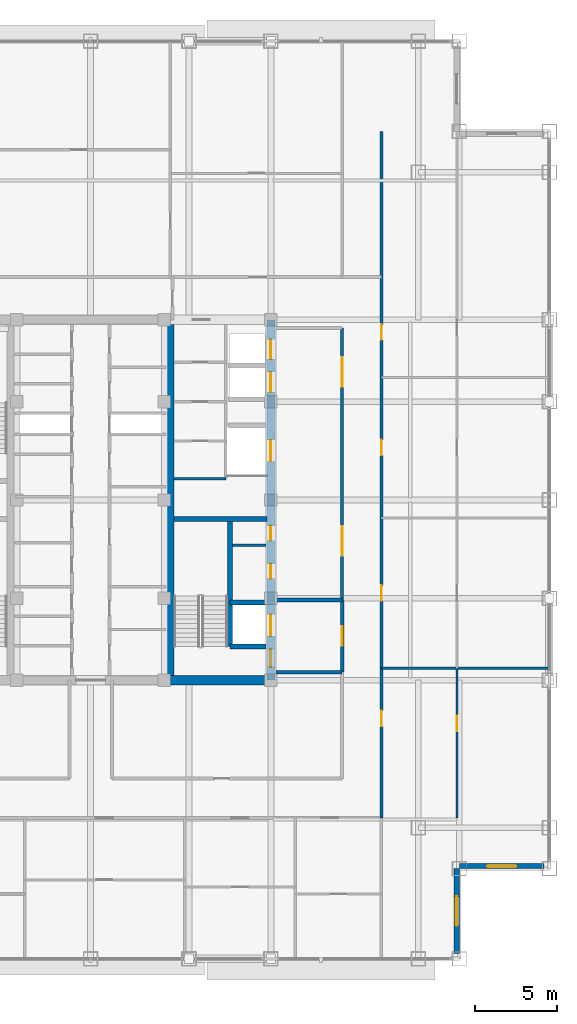
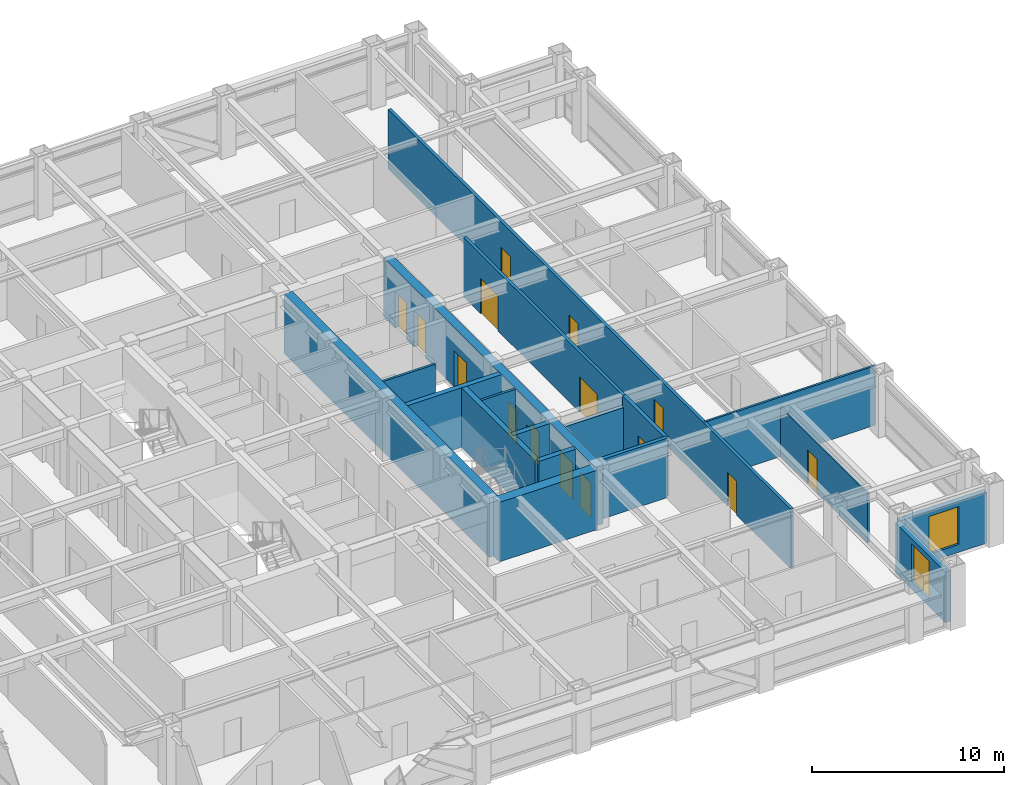
# One storey, part 22 of 29: 18 walls, 15 doors, 2 windows, 17 openings.
"""IFC4 building model written with IfcOpenShell, lengths in metres."""

from ifc_helpers import new_model, si_unit, direction, frame, frame_2d, origin, place, context, subcontext, project, spatial, rectangle, extrude, source, transform, mapped, material, layer, layer_set, type_object, element, fill, save


model = new_model("IFC4")

# Units and contexts
model_context = context("Model", 3, precision=1e-05, world=origin(), true_north=direction((0.0, 1.0)))
body_context = subcontext(model_context, "Body", "Model", "MODEL_VIEW")
ifc_project = project(units=[si_unit("LENGTHUNIT", "METRE"), si_unit("AREAUNIT", "SQUARE_METRE"), si_unit("VOLUMEUNIT", "CUBIC_METRE"), si_unit("PLANEANGLEUNIT", "RADIAN"), si_unit("MASSUNIT", "GRAM", prefix="KILO")], contexts=[model_context])

# Site, building, storey
site_placement = place(None, origin())
site = spatial("IfcSite", under=ifc_project, at=site_placement, CompositionType="ELEMENT")
building_placement = place(site_placement, origin())
building = spatial("IfcBuilding", under=site, at=building_placement, Name="Khorayat Bourse Tower", CompositionType="ELEMENT")
storey_placement = place(building_placement, frame((0.0, 0.0, 277.5)))
storey = spatial("IfcBuildingStorey", under=building, at=storey_placement, Name="L65", CompositionType="ELEMENT", Elevation=277.5)

# Wall, openings, doors
ifc_material_1 = material(Name="Concrete C52/65", Category="concrete")
ifc_layer_1 = layer(ifc_material_1, 0.5)
ifc_layer_set_1 = layer_set([ifc_layer_1], Name="Concrete C52/65")
wall_type_1 = type_object("IfcWallType", Name="WAL-CORE-500", PredefinedType="SHEAR", material=ifc_layer_set_1)
shared_shape_1 = source(origin(), body_context, "Body", "SweptSolid", [
    extrude(rectangle(XDim=22.0, YDim=0.5, at=frame_2d((11.0, 0.0))), origin(), (0.0, 0.0, 1.0), 3.780029296875),
])
wall_1_placement = place(storey_placement, frame((11.0, -11.0, 0.0), z_axis=(0.0, 0.0, 1.0), x_axis=(0.0, 1.0, 0.0)))
wall_1 = element("IfcWall", 1, at=wall_1_placement, inside=storey, type_object=wall_type_1, Name="L65 Core Shear Wall CORE-E", PredefinedType="SHEAR", context=body_context, shape_type="MappedRepresentation", body=[
    mapped(shared_shape_1, transform((0.0, 0.0, 0.0), scale=1.0)),
])
shared_shape_2 = source(origin(), body_context, "Body", "SweptSolid", [
    extrude(rectangle(XDim=1.10009765625, YDim=2.199951171875, at=frame_2d((0.550048828125, 1.10009765625))), frame((0.0, 0.260009765625, 0.0), z_axis=(0.0, -1.0, 0.0), x_axis=(1.0, 0.0, 0.0)), (0.0, 0.0, 1.0), 0.52001953125),
])
opening_1_placement = place(wall_1_placement, frame((0.800048828125, 0.0, 0.0)))
opening_1 = element("IfcOpeningElement", 2, at=opening_1_placement, cuts=wall_1, Name="Opening DI-01", PredefinedType="OPENING", context=body_context, shape_type="MappedRepresentation", body=[
    mapped(shared_shape_2, transform((0.0, 0.0, 0.0), scale=1.0)),
])
shared_shape_3 = source(origin(), body_context, "Body", "SweptSolid", [
    extrude(rectangle(XDim=0.89990234375, YDim=2.14990234375, at=frame_2d((0.449951171875, 1.074951171875))), frame((0.0, 0.260009765625, 0.0), z_axis=(0.0, -1.0, 0.0), x_axis=(1.0, 0.0, 0.0)), (0.0, 0.0, 1.0), 0.52001953125),
])
opening_2_placement = place(wall_1_placement, frame((6.199951171875, 0.0, 0.0)))
opening_2 = element("IfcOpeningElement", 3, at=opening_2_placement, cuts=wall_1, Name="Opening DI-06", PredefinedType="OPENING", context=body_context, shape_type="MappedRepresentation", body=[
    mapped(shared_shape_3, transform((0.0, 0.0, 0.0), scale=1.0)),
])
opening_3_placement = place(wall_1_placement, frame((8.52490234375, 0.0, 0.0)))
opening_3 = element("IfcOpeningElement", 4, at=opening_3_placement, cuts=wall_1, Name="Opening DI-06", PredefinedType="OPENING", context=body_context, shape_type="MappedRepresentation", body=[
    mapped(shared_shape_3, transform((0.0, 0.0, 0.0), scale=1.0)),
])
shared_shape_4 = source(origin(), body_context, "Body", "SweptSolid", [
    extrude(rectangle(XDim=1.199951171875, YDim=2.300048828125, at=frame_2d((0.60009765625, 1.14990234375))), frame((0.0, 0.260009765625, 0.0), z_axis=(0.0, -1.0, 0.0), x_axis=(1.0, 0.0, 0.0)), (0.0, 0.0, 1.0), 0.52001953125),
])
opening_4_placement = place(wall_1_placement, frame((17.60009765625, 0.0, 0.0)))
opening_4 = element("IfcOpeningElement", 5, at=opening_4_placement, cuts=wall_1, Name="Opening LD-01", PredefinedType="OPENING", context=body_context, shape_type="MappedRepresentation", body=[
    mapped(shared_shape_4, transform((0.0, 0.0, 0.0), scale=1.0)),
])
opening_5_placement = place(wall_1_placement, frame((19.60009765625, 0.0, 0.0)))
opening_5 = element("IfcOpeningElement", 6, at=opening_5_placement, cuts=wall_1, Name="Opening LD-01", PredefinedType="OPENING", context=body_context, shape_type="MappedRepresentation", body=[
    mapped(shared_shape_4, transform((0.0, 0.0, 0.0), scale=1.0)),
])
shared_shape_5 = source(origin(), body_context, "Body", "SweptSolid", [
    extrude(rectangle(XDim=1.300048828125, YDim=2.300048828125, at=frame_2d((0.64990234375, 1.14990234375))), frame((0.0, 0.260009765625, 0.0), z_axis=(0.0, -1.0, 0.0), x_axis=(1.0, 0.0, 0.0)), (0.0, 0.0, 1.0), 0.52001953125),
])
opening_6_placement = place(wall_1_placement, frame((2.699951171875, 0.0, 0.0)))
opening_6 = element("IfcOpeningElement", 7, at=opening_6_placement, cuts=wall_1, Name="Opening LD-02", PredefinedType="OPENING", context=body_context, shape_type="MappedRepresentation", body=[
    mapped(shared_shape_5, transform((0.0, 0.0, 0.0), scale=1.0)),
])
opening_7_placement = place(wall_1_placement, frame((13.35009765625, 0.0, 0.0)))
opening_7 = element("IfcOpeningElement", 8, at=opening_7_placement, cuts=wall_1, Name="Opening LD-02", PredefinedType="OPENING", context=body_context, shape_type="MappedRepresentation", body=[
    mapped(shared_shape_5, transform((0.0, 0.0, 0.0), scale=1.0)),
])
ifc_material_2 = material(Name="Fire-rated steel acoustic leaf", Category="steel")
door_type_1 = type_object("IfcDoorType", Name="DR-INT-STAIR-1100", OperationType="NOTDEFINED", PredefinedType="DOOR", material=ifc_material_2)
shared_shape_6 = source(origin(), body_context, "Body", "SweptSolid", [
    extrude(rectangle(XDim=1.10009765625, YDim=2.199951171875, at=frame_2d((0.550048828125, 1.10009765625))), frame((0.0, 0.02490234375, 0.0), z_axis=(0.0, -1.0, 0.0), x_axis=(1.0, 0.0, 0.0)), (0.0, 0.0, 1.0), 0.050048828125),
])
door_1_placement = place(opening_1_placement, origin())
door_1 = element("IfcDoor", 9, at=door_1_placement, inside=storey, type_object=door_type_1, Name="L65 Exit Stair 3 Door", OperationType="SINGLE_SWING_LEFT", OverallHeight=2.199951171875, OverallWidth=1.10009765625, PredefinedType="DOOR", context=body_context, shape_type="MappedRepresentation", body=[
    mapped(shared_shape_6, transform((0.0, 0.0, 0.0), scale=1.0)),
])
fill(opening_1, door_1)
ifc_material_3 = material(Name="Moisture-resistant laminate washroom door")
door_type_2 = type_object("IfcDoorType", Name="DR-INT-WC-900", OperationType="NOTDEFINED", PredefinedType="DOOR", material=ifc_material_3)
shared_shape_7 = source(origin(), body_context, "Body", "SweptSolid", [
    extrude(rectangle(XDim=0.89990234375, YDim=2.14990234375, at=frame_2d((0.449951171875, 1.074951171875))), frame((0.0, 0.02490234375, 0.0), z_axis=(0.0, -1.0, 0.0), x_axis=(1.0, 0.0, 0.0)), (0.0, 0.0, 1.0), 0.050048828125),
])
door_2_placement = place(opening_2_placement, origin())
door_2 = element("IfcDoor", 10, at=door_2_placement, inside=storey, type_object=door_type_2, Name="L65 Telecom Closet Door", OperationType="SINGLE_SWING_LEFT", OverallHeight=2.14990234375, OverallWidth=0.89990234375, PredefinedType="DOOR", context=body_context, shape_type="MappedRepresentation", body=[
    mapped(shared_shape_7, transform((0.0, 0.0, 0.0), scale=1.0)),
])
fill(opening_2, door_2)
door_3_placement = place(opening_3_placement, origin())
door_3 = element("IfcDoor", 11, at=door_3_placement, inside=storey, type_object=door_type_2, Name="L65 Stationery Store Door", OperationType="SINGLE_SWING_RIGHT", OverallHeight=2.14990234375, OverallWidth=0.89990234375, PredefinedType="DOOR", context=body_context, shape_type="MappedRepresentation", body=[
    mapped(shared_shape_7, transform((0.0, 0.0, 0.0), scale=1.0)),
])
fill(opening_3, door_3)
ifc_material_4 = material(Name="Brushed bronze stainless-steel sliding door", Category="steel")
door_type_3 = type_object("IfcDoorType", Name="DR-LIFT-PASS-1200", OperationType="NOTDEFINED", PredefinedType="DOOR", material=ifc_material_4)
shared_shape_8 = source(origin(), body_context, "Body", "SweptSolid", [
    extrude(rectangle(XDim=1.199951171875, YDim=2.300048828125, at=frame_2d((0.60009765625, 1.14990234375))), frame((0.0, 0.02490234375, 0.0), z_axis=(0.0, -1.0, 0.0), x_axis=(1.0, 0.0, 0.0)), (0.0, 0.0, 1.0), 0.050048828125),
])
door_4_placement = place(opening_4_placement, origin())
door_4 = element("IfcDoor", 12, at=door_4_placement, inside=storey, type_object=door_type_3, Name="L65 Lift PL-H3 Sliding Landing Door", OperationType="SLIDING_TO_LEFT", OverallHeight=2.300048828125, OverallWidth=1.199951171875, PredefinedType="DOOR", context=body_context, shape_type="MappedRepresentation", body=[
    mapped(shared_shape_8, transform((0.0, 0.0, 0.0), scale=1.0)),
])
fill(opening_4, door_4)
door_5_placement = place(opening_5_placement, origin())
door_5 = element("IfcDoor", 13, at=door_5_placement, inside=storey, type_object=door_type_3, Name="L65 Lift PL-H4 Sliding Landing Door", OperationType="SLIDING_TO_LEFT", OverallHeight=2.300048828125, OverallWidth=1.199951171875, PredefinedType="DOOR", context=body_context, shape_type="MappedRepresentation", body=[
    mapped(shared_shape_8, transform((0.0, 0.0, 0.0), scale=1.0)),
])
fill(opening_5, door_5)
ifc_material_5 = material(Name="Fire-rated stainless-steel sliding landing door", Category="steel")
door_type_4 = type_object("IfcDoorType", Name="DR-LIFT-FF-1300", OperationType="NOTDEFINED", PredefinedType="DOOR", material=ifc_material_5)
shared_shape_9 = source(origin(), body_context, "Body", "SweptSolid", [
    extrude(rectangle(XDim=1.300048828125, YDim=2.300048828125, at=frame_2d((0.64990234375, 1.14990234375))), frame((0.0, 0.02490234375, 0.0), z_axis=(0.0, -1.0, 0.0), x_axis=(1.0, 0.0, 0.0)), (0.0, 0.0, 1.0), 0.050048828125),
])
door_6_placement = place(opening_6_placement, origin())
door_6 = element("IfcDoor", 14, at=door_6_placement, inside=storey, type_object=door_type_4, Name="L65 Lift FFL-02 Sliding Landing Door", OperationType="SLIDING_TO_LEFT", OverallHeight=2.300048828125, OverallWidth=1.300048828125, PredefinedType="DOOR", context=body_context, shape_type="MappedRepresentation", body=[
    mapped(shared_shape_9, transform((0.0, 0.0, 0.0), scale=1.0)),
])
fill(opening_6, door_6)
door_7_placement = place(opening_7_placement, origin())
door_7 = element("IfcDoor", 15, at=door_7_placement, inside=storey, type_object=door_type_4, Name="L65 Lift SVL-01 Sliding Landing Door", OperationType="SLIDING_TO_LEFT", OverallHeight=2.300048828125, OverallWidth=1.300048828125, PredefinedType="DOOR", context=body_context, shape_type="MappedRepresentation", body=[
    mapped(shared_shape_9, transform((0.0, 0.0, 0.0), scale=1.0)),
])
fill(opening_7, door_7)

# Walls
shared_shape_10 = source(origin(), body_context, "Body", "SweptSolid", [
    extrude(rectangle(XDim=21.39990234375, YDim=0.5, at=frame_2d((10.699951171875, 0.0))), origin(), (0.0, 0.0, 1.0), 3.780029296875),
])
wall_2_placement = place(storey_placement, frame((4.85009765625, -10.699951171875, 0.0), z_axis=(0.0, 0.0, 1.0), x_axis=(0.0, 1.0, 0.0)))
element("IfcWall", 16, at=wall_2_placement, inside=storey, type_object=wall_type_1, Name="L65 Core Shear Wall PIER-E", PredefinedType="SHEAR", context=body_context, shape_type="MappedRepresentation", body=[
    mapped(shared_shape_10, transform((0.0, 0.0, 0.0), scale=1.0)),
])
ifc_material_6 = material(Name="Concrete C60/75", Category="concrete")
ifc_layer_2 = layer(ifc_material_6, 0.60009765625)
ifc_layer_set_2 = layer_set([ifc_layer_2], Name="Concrete C60/75")
wall_type_2 = type_object("IfcWallType", Name="WAL-CORE-600", PredefinedType="SHEAR", material=ifc_layer_set_2)
shared_shape_11 = source(origin(), body_context, "Body", "SweptSolid", [
    extrude(rectangle(XDim=5.89990234375, YDim=0.60009765625, at=frame_2d((2.949951171875, 0.0))), origin(), (0.0, 0.0, 1.0), 3.780029296875),
])
wall_3_placement = place(storey_placement, frame((4.85009765625, -11.0, 0.0), z_axis=(0.0, 0.0, 1.0), x_axis=(1.0, 0.0, 0.0)))
element("IfcWall", 17, at=wall_3_placement, inside=storey, type_object=wall_type_2, Name="L65 Core Shear Wall PIER-ES", PredefinedType="SHEAR", context=body_context, shape_type="MappedRepresentation", body=[
    mapped(shared_shape_11, transform((0.0, 0.0, 0.0), scale=1.0)),
])
ifc_material_7 = material(Name="Concrete C50/60", Category="concrete")
ifc_layer_3 = layer(ifc_material_7, 0.300048828125)
ifc_layer_set_3 = layer_set([ifc_layer_3], Name="Concrete C50/60")
wall_type_3 = type_object("IfcWallType", Name="WAL-SHAFT-300", PredefinedType="SHEAR", material=ifc_layer_set_3)
shared_shape_12 = source(origin(), body_context, "Body", "SweptSolid", [
    extrude(rectangle(XDim=5.64990234375, YDim=0.300048828125, at=frame_2d((2.824951171875, 0.0))), origin(), (0.0, 0.0, 1.0), 3.780029296875),
])
wall_4_placement = place(storey_placement, frame((5.10009765625, -1.14990234375, 0.0), z_axis=(0.0, 0.0, 1.0), x_axis=(1.0, 0.0, 0.0)))
element("IfcWall", 18, at=wall_4_placement, inside=storey, type_object=wall_type_3, Name="L65 Core Shear Wall ST3-DIV", PredefinedType="SHEAR", context=body_context, shape_type="MappedRepresentation", body=[
    mapped(shared_shape_12, transform((0.0, 0.0, 0.0), scale=1.0)),
])

# Wall, opening, window
ifc_material_8 = material(Name="Precast concrete C45/55", Category="concrete")
ifc_layer_4 = layer(ifc_material_8, 0.320068359375)
ifc_layer_set_4 = layer_set([ifc_layer_4], Name="Precast concrete C45/55")
wall_type_4 = type_object("IfcWallType", Name="WAL-EXT-STONE-320", PredefinedType="STANDARD", material=ifc_layer_set_4)
shared_shape_13 = source(origin(), body_context, "Body", "SweptSolid", [
    extrude(rectangle(XDim=5.179931640625, YDim=0.320068359375, at=frame_2d((2.58984375, 0.0))), origin(), (0.0, 0.0, 1.0), 3.23095703125),
])
wall_5_placement = place(storey_placement, frame((22.340087890625, -27.679931640625, 0.0), z_axis=(0.0, 0.0, 1.0), x_axis=(0.0, 1.0, 0.0)))
wall_5 = element("IfcWall", 19, at=wall_5_placement, inside=storey, type_object=wall_type_4, Name="L65 Re-Entrant Notch Limestone Wall SE-V", PredefinedType="STANDARD", context=body_context, shape_type="MappedRepresentation", body=[
    mapped(shared_shape_13, transform((0.0, 0.0, 0.0), scale=1.0)),
])
shared_shape_14 = source(origin(), body_context, "Body", "SweptSolid", [
    extrude(rectangle(XDim=1.800048828125, YDim=2.39990234375, at=frame_2d((0.89990234375, 1.199951171875))), frame((0.0, 0.169921875, 0.0), z_axis=(0.0, -1.0, 0.0), x_axis=(1.0, 0.0, 0.0)), (0.0, 0.0, 1.0), 0.340087890625),
])
opening_8_placement = place(wall_5_placement, frame((1.68994140625, 0.0, 0.5)))
opening_8 = element("IfcOpeningElement", 20, at=opening_8_placement, cuts=wall_5, Name="Opening WN-04", PredefinedType="OPENING", context=body_context, shape_type="MappedRepresentation", body=[
    mapped(shared_shape_14, transform((0.0, 0.0, 0.0), scale=1.0)),
])
ifc_material_9 = material(Name="Low-E acoustic laminated double glazing", Category="glass")
window_type = type_object("IfcWindowType", Name="WIN-NOTCH-1800x2400", PartitioningType="SINGLE_PANEL", PredefinedType="WINDOW", material=ifc_material_9)
shared_shape_15 = source(origin(), body_context, "Body", "SweptSolid", [
    extrude(rectangle(XDim=1.800048828125, YDim=2.39990234375, at=frame_2d((0.89990234375, 1.199951171875))), frame((0.0, 0.030029296875, 0.0), z_axis=(0.0, -1.0, 0.0), x_axis=(1.0, 0.0, 0.0)), (0.0, 0.0, 1.0), 0.06005859375),
])
window_1_placement = place(opening_8_placement, origin())
window_1 = element("IfcWindow", 21, at=window_1_placement, inside=storey, type_object=window_type, Name="L65 Facade Window 1", OverallHeight=2.39990234375, OverallWidth=1.800048828125, PartitioningType="SINGLE_PANEL", PredefinedType="WINDOW", context=body_context, shape_type="MappedRepresentation", body=[
    mapped(shared_shape_15, transform((0.0, 0.0, 0.0), scale=1.0)),
])
fill(opening_8, window_1)

wall_6_placement = place(storey_placement, frame((22.5, -22.340087890625, 0.0), z_axis=(0.0, 0.0, 1.0), x_axis=(1.0, 0.0, 0.0)))
wall_6 = element("IfcWall", 22, at=wall_6_placement, inside=storey, type_object=wall_type_4, Name="L65 Re-Entrant Notch Limestone Wall SE-H", PredefinedType="STANDARD", context=body_context, shape_type="MappedRepresentation", body=[
    mapped(shared_shape_13, transform((0.0, 0.0, 0.0), scale=1.0)),
])
opening_9_placement = place(wall_6_placement, frame((1.68994140625, 0.0, 0.5)))
opening_9 = element("IfcOpeningElement", 23, at=opening_9_placement, cuts=wall_6, Name="Opening WN-04", PredefinedType="OPENING", context=body_context, shape_type="MappedRepresentation", body=[
    mapped(shared_shape_14, transform((0.0, 0.0, 0.0), scale=1.0)),
])
window_2_placement = place(opening_9_placement, origin())
window_2 = element("IfcWindow", 24, at=window_2_placement, inside=storey, type_object=window_type, Name="L65 Facade Window 1", OverallHeight=2.39990234375, OverallWidth=1.800048828125, PartitioningType="SINGLE_PANEL", PredefinedType="WINDOW", context=body_context, shape_type="MappedRepresentation", body=[
    mapped(shared_shape_15, transform((0.0, 0.0, 0.0), scale=1.0)),
])
fill(opening_9, window_2)

# Walls
ifc_material_10 = material(Name="Aerated concrete blockwork", Category="masonry")
ifc_layer_5 = layer(ifc_material_10, 0.219970703125)
ifc_layer_set_5 = layer_set([ifc_layer_5], Name="Aerated concrete blockwork")
wall_type_5 = type_object("IfcWallType", Name="WAL-PART-FF-220", PredefinedType="PARTITIONING", material=ifc_layer_set_5)
shared_shape_16 = source(origin(), body_context, "Body", "SweptSolid", [
    extrude(rectangle(XDim=4.050048828125, YDim=0.219970703125, at=frame_2d((2.02490234375, 0.0))), origin(), (0.0, 0.0, 1.0), 3.0849609375),
])
wall_7_placement = place(storey_placement, frame((11.300048828125, -6.10009765625, 0.0), z_axis=(0.0, 0.0, 1.0), x_axis=(1.0, 0.0, 0.0)))
element("IfcWall", 25, at=wall_7_placement, inside=storey, type_object=wall_type_5, Name="L65 Partition WAL-L65-FFLE-N", PredefinedType="PARTITIONING", context=body_context, shape_type="MappedRepresentation", body=[
    mapped(shared_shape_16, transform((0.0, 0.0, 0.0), scale=1.0)),
])
shared_shape_17 = source(origin(), body_context, "Body", "SweptSolid", [
    extrude(rectangle(XDim=7.800048828125, YDim=0.300048828125, at=frame_2d((3.89990234375, 0.0))), origin(), (0.0, 0.0, 1.0), 3.780029296875),
])
wall_8_placement = place(storey_placement, frame((8.5, -8.949951171875, 0.0), z_axis=(0.0, 0.0, 1.0), x_axis=(0.0, 1.0, 0.0)))
element("IfcWall", 26, at=wall_8_placement, inside=storey, type_object=wall_type_3, Name="L65 Partition WAL-L65-EPIER-SP", PredefinedType="SHEAR", context=body_context, shape_type="MappedRepresentation", body=[
    mapped(shared_shape_17, transform((0.0, 0.0, 0.0), scale=1.0)),
])
shared_shape_18 = source(origin(), body_context, "Body", "SweptSolid", [
    extrude(rectangle(XDim=2.199951171875, YDim=0.300048828125, at=frame_2d((1.10009765625, 0.0))), origin(), (0.0, 0.0, 1.0), 3.780029296875),
])
for number, where, z_axis, x_axis, name in (
    (27, (8.5, -8.949951171875, 0.0), (0.0, 0.0, 1.0), (1.0, 0.0, 0.0), "L65 Partition WAL-L65-EPIER-FF2S"),
    (28, (8.5, -6.25, 0.0), (0.0, 0.0, 1.0), (1.0, 0.0, 0.0), "L65 Partition WAL-L65-EPIER-FF2N"),
):
    element("IfcWall", number, at=place(storey_placement, frame(where, z_axis=z_axis, x_axis=x_axis)), inside=storey, type_object=wall_type_3, Name=name, PredefinedType="SHEAR", context=body_context, shape_type="MappedRepresentation", body=[
        mapped(shared_shape_18, transform((0.0, 0.0, 0.0), scale=1.0)),
    ])
ifc_material_11 = material(Name="Gypsum plasterboard twin-frame partition")
ifc_layer_6 = layer(ifc_material_11, 0.14990234375)
ifc_layer_set_6 = layer_set([ifc_layer_6], Name="Gypsum plasterboard twin-frame partition")
wall_type_6 = type_object("IfcWallType", Name="WAL-PART-SUITE-150", PredefinedType="PARTITIONING", material=ifc_layer_set_6)
shared_shape_19 = source(origin(), body_context, "Body", "SweptSolid", [
    extrude(rectangle(XDim=2.050048828125, YDim=0.14990234375, at=frame_2d((1.02490234375, 0.0))), origin(), (0.0, 0.0, 1.0), 3.780029296875),
])
wall_9_placement = place(storey_placement, frame((8.64990234375, -2.75, 0.0), z_axis=(0.0, 0.0, 1.0), x_axis=(1.0, 0.0, 0.0)))
element("IfcWall", 29, at=wall_9_placement, inside=storey, type_object=wall_type_6, Name="L65 Partition WAL-L65-ESRV-D1", PredefinedType="PARTITIONING", context=body_context, shape_type="MappedRepresentation", body=[
    mapped(shared_shape_19, transform((0.0, 0.0, 0.0), scale=1.0)),
])
ifc_material_12 = material(Name="Moisture-resistant masonry partition", Category="masonry")
ifc_layer_7 = layer(ifc_material_12, 0.139892578125)
ifc_layer_set_7 = layer_set([ifc_layer_7], Name="Moisture-resistant masonry partition")
wall_type_7 = type_object("IfcWallType", Name="WAL-PART-WET-140", PredefinedType="PARTITIONING", material=ifc_layer_set_7)
shared_shape_20 = source(origin(), body_context, "Body", "SweptSolid", [
    extrude(rectangle(XDim=3.14990234375, YDim=0.139892578125, at=frame_2d((1.574951171875, 0.0))), origin(), (0.0, 0.0, 1.0), 3.780029296875),
])
wall_10_placement = place(storey_placement, frame((5.10009765625, 1.300048828125, 0.0), z_axis=(0.0, 0.0, 1.0), x_axis=(1.0, 0.0, 0.0)))
element("IfcWall", 30, at=wall_10_placement, inside=storey, type_object=wall_type_7, Name="L65 Partition WAL-L65-ECORE-S", PredefinedType="PARTITIONING", context=body_context, shape_type="MappedRepresentation", body=[
    mapped(shared_shape_20, transform((0.0, 0.0, 0.0), scale=1.0)),
])
shared_shape_21 = source(origin(), body_context, "Body", "SweptSolid", [
    extrude(rectangle(XDim=4.050048828125, YDim=0.219970703125, at=frame_2d((2.02490234375, 0.0))), origin(), (0.0, 0.0, 1.0), 3.780029296875),
])
wall_11_placement = place(storey_placement, frame((11.300048828125, -10.5, 0.0), z_axis=(0.0, 0.0, 1.0), x_axis=(1.0, 0.0, 0.0)))
element("IfcWall", 31, at=wall_11_placement, inside=storey, type_object=wall_type_5, Name="L65 Partition WAL-L65-FFLE-S", PredefinedType="PARTITIONING", context=body_context, shape_type="MappedRepresentation", body=[
    mapped(shared_shape_21, transform((0.0, 0.0, 0.0), scale=1.0)),
])

# Wall, opening, door
shared_shape_22 = source(origin(), body_context, "Body", "SweptSolid", [
    extrude(rectangle(XDim=4.39990234375, YDim=0.219970703125, at=frame_2d((2.199951171875, 0.0))), origin(), (0.0, 0.0, 1.0), 3.780029296875),
])
wall_12_placement = place(storey_placement, frame((15.35009765625, -10.5, 0.0), z_axis=(0.0, 0.0, 1.0), x_axis=(0.0, 1.0, 0.0)))
wall_12 = element("IfcWall", 32, at=wall_12_placement, inside=storey, type_object=wall_type_5, Name="L65 Partition WAL-L65-FFLE-E", PredefinedType="PARTITIONING", context=body_context, shape_type="MappedRepresentation", body=[
    mapped(shared_shape_22, transform((0.0, 0.0, 0.0), scale=1.0)),
])
shared_shape_23 = source(origin(), body_context, "Body", "SweptSolid", [
    extrude(rectangle(XDim=1.199951171875, YDim=2.199951171875, at=frame_2d((0.60009765625, 1.10009765625))), frame((0.0, 0.119873046875, 0.0), z_axis=(0.0, -1.0, 0.0), x_axis=(1.0, 0.0, 0.0)), (0.0, 0.0, 1.0), 0.239990234375),
])
opening_10_placement = place(wall_12_placement, frame((1.60009765625, 0.0, 0.0)))
opening_10 = element("IfcOpeningElement", 33, at=opening_10_placement, cuts=wall_12, Name="Opening DI-02", PredefinedType="OPENING", context=body_context, shape_type="MappedRepresentation", body=[
    mapped(shared_shape_23, transform((0.0, 0.0, 0.0), scale=1.0)),
])
ifc_material_13 = material(Name="Fire-rated steel double-seal leaf", Category="steel")
door_type_5 = type_object("IfcDoorType", Name="DR-INT-FFLOBBY-1200", OperationType="NOTDEFINED", PredefinedType="DOOR", material=ifc_material_13)
shared_shape_24 = source(origin(), body_context, "Body", "SweptSolid", [
    extrude(rectangle(XDim=1.199951171875, YDim=2.199951171875, at=frame_2d((0.60009765625, 1.10009765625))), frame((0.0, 0.02490234375, 0.0), z_axis=(0.0, -1.0, 0.0), x_axis=(1.0, 0.0, 0.0)), (0.0, 0.0, 1.0), 0.050048828125),
])
door_8_placement = place(opening_10_placement, origin())
door_8 = element("IfcDoor", 34, at=door_8_placement, inside=storey, type_object=door_type_5, Name="L65 East Firefighting Lobby Door", OperationType="SINGLE_SWING_RIGHT", OverallHeight=2.199951171875, OverallWidth=1.199951171875, PredefinedType="DOOR", context=body_context, shape_type="MappedRepresentation", body=[
    mapped(shared_shape_24, transform((0.0, 0.0, 0.0), scale=1.0)),
])
fill(opening_10, door_8)

# Wall, openings, doors
ifc_material_14 = material(Name="Gypsum plasterboard acoustic stud wall")
ifc_layer_8 = layer(ifc_material_14, 0.179931640625)
ifc_layer_set_8 = layer_set([ifc_layer_8], Name="Gypsum plasterboard acoustic stud wall")
wall_type_8 = type_object("IfcWallType", Name="WAL-PART-CORR-180", PredefinedType="PARTITIONING", material=ifc_layer_set_8)
shared_shape_25 = source(origin(), body_context, "Body", "SweptSolid", [
    extrude(rectangle(XDim=16.60009765625, YDim=0.179931640625, at=frame_2d((8.300048828125, 0.0))), origin(), (0.0, 0.0, 1.0), 3.780029296875),
])
wall_13_placement = place(storey_placement, frame((15.35009765625, -6.10009765625, 0.0), z_axis=(0.0, 0.0, 1.0), x_axis=(0.0, 1.0, 0.0)))
wall_13 = element("IfcWall", 35, at=wall_13_placement, inside=storey, type_object=wall_type_8, Name="L65 Partition WAL-L65-ELOB-E", PredefinedType="PARTITIONING", context=body_context, shape_type="MappedRepresentation", body=[
    mapped(shared_shape_25, transform((0.0, 0.0, 0.0), scale=1.0)),
])
shared_shape_26 = source(origin(), body_context, "Body", "SweptSolid", [
    extrude(rectangle(XDim=1.800048828125, YDim=2.25, at=frame_2d((0.89990234375, 1.125))), frame((0.0, 0.099853515625, 0.0), z_axis=(0.0, -1.0, 0.0), x_axis=(1.0, 0.0, 0.0)), (0.0, 0.0, 1.0), 0.199951171875),
])
opening_11_placement = place(wall_13_placement, frame((2.699951171875, 0.0, 0.0)))
opening_11 = element("IfcOpeningElement", 36, at=opening_11_placement, cuts=wall_13, Name="Opening DI-03", PredefinedType="OPENING", context=body_context, shape_type="MappedRepresentation", body=[
    mapped(shared_shape_26, transform((0.0, 0.0, 0.0), scale=1.0)),
])
opening_12_placement = place(wall_13_placement, frame((13.0, 0.0, 0.0)))
opening_12 = element("IfcOpeningElement", 37, at=opening_12_placement, cuts=wall_13, Name="Opening DI-03", PredefinedType="OPENING", context=body_context, shape_type="MappedRepresentation", body=[
    mapped(shared_shape_26, transform((0.0, 0.0, 0.0), scale=1.0)),
])
ifc_material_15 = material(Name="Fire-rated hardwood vision-panel double leaf", Category="wood")
door_type_6 = type_object("IfcDoorType", Name="DR-INT-CORR-1800", OperationType="NOTDEFINED", PredefinedType="DOOR", material=ifc_material_15)
shared_shape_27 = source(origin(), body_context, "Body", "SweptSolid", [
    extrude(rectangle(XDim=1.800048828125, YDim=2.25, at=frame_2d((0.89990234375, 1.125))), frame((0.0, 0.02490234375, 0.0), z_axis=(0.0, -1.0, 0.0), x_axis=(1.0, 0.0, 0.0)), (0.0, 0.0, 1.0), 0.050048828125),
])
door_9_placement = place(opening_11_placement, origin())
door_9 = element("IfcDoor", 38, at=door_9_placement, inside=storey, type_object=door_type_6, Name="L65 East Core Lobby South Door", OperationType="SINGLE_SWING_RIGHT", OverallHeight=2.25, OverallWidth=1.800048828125, PredefinedType="DOOR", context=body_context, shape_type="MappedRepresentation", body=[
    mapped(shared_shape_27, transform((0.0, 0.0, 0.0), scale=1.0)),
])
fill(opening_11, door_9)
door_10_placement = place(opening_12_placement, origin())
door_10 = element("IfcDoor", 39, at=door_10_placement, inside=storey, type_object=door_type_6, Name="L65 East Core Lobby North Door", OperationType="SINGLE_SWING_LEFT", OverallHeight=2.25, OverallWidth=1.800048828125, PredefinedType="DOOR", context=body_context, shape_type="MappedRepresentation", body=[
    mapped(shared_shape_27, transform((0.0, 0.0, 0.0), scale=1.0)),
])
fill(opening_12, door_10)

# Wall
ifc_material_16 = material(Name="Gypsum plasterboard partition")
ifc_layer_9 = layer(ifc_material_16, 0.125)
ifc_layer_set_9 = layer_set([ifc_layer_9], Name="Gypsum plasterboard partition")
wall_type_9 = type_object("IfcWallType", Name="WAL-PART-ROOM-125", PredefinedType="PARTITIONING", material=ifc_layer_set_9)
shared_shape_28 = source(origin(), body_context, "Body", "SweptSolid", [
    extrude(rectangle(XDim=10.25, YDim=0.125, at=frame_2d((5.125, 0.0))), origin(), (0.0, 0.0, 1.0), 3.780029296875),
])
wall_14_placement = place(storey_placement, frame((17.75, -10.26806640625, 0.0), z_axis=(0.0, 0.0, 1.0), x_axis=(1.0, 0.0, 0.0)))
element("IfcWall", 40, at=wall_14_placement, inside=storey, type_object=wall_type_9, Name="L65 Partition WAL-L65-EDV-1", PredefinedType="PARTITIONING", context=body_context, shape_type="MappedRepresentation", body=[
    mapped(shared_shape_28, transform((0.0, 0.0, 0.0), scale=1.0)),
])

# Wall, opening, door
shared_shape_29 = source(origin(), body_context, "Body", "SweptSolid", [
    extrude(rectangle(XDim=9.1318359375, YDim=0.125, at=frame_2d((4.56591796875, 0.0))), origin(), (0.0, 0.0, 1.0), 3.1640625),
])
wall_15_placement = place(storey_placement, frame((22.362548828125, -19.39990234375, 0.0), z_axis=(0.0, 0.0, 1.0), x_axis=(0.0, 1.0, 0.0)))
wall_15 = element("IfcWall", 41, at=wall_15_placement, inside=storey, type_object=wall_type_9, Name="L65 Partition WAL-L65-EDP-1", PredefinedType="PARTITIONING", context=body_context, shape_type="MappedRepresentation", body=[
    mapped(shared_shape_29, transform((0.0, 0.0, 0.0), scale=1.0)),
])
shared_shape_30 = source(origin(), body_context, "Body", "SweptSolid", [
    extrude(rectangle(XDim=0.949951171875, YDim=2.14990234375, at=frame_2d((0.47509765625, 1.074951171875))), frame((0.0, 0.072509765625, 0.0), z_axis=(0.0, -1.0, 0.0), x_axis=(1.0, 0.0, 0.0)), (0.0, 0.0, 1.0), 0.14501953125),
])
opening_13_placement = place(wall_15_placement, frame((5.291015625, 0.0, 0.0)))
opening_13 = element("IfcOpeningElement", 42, at=opening_13_placement, cuts=wall_15, Name="Opening DI-05", PredefinedType="OPENING", context=body_context, shape_type="MappedRepresentation", body=[
    mapped(shared_shape_30, transform((0.0, 0.0, 0.0), scale=1.0)),
])
ifc_material_17 = material(Name="Acoustic oak veneer office door")
door_type_7 = type_object("IfcDoorType", Name="DR-INT-OFFICE-950", OperationType="NOTDEFINED", PredefinedType="DOOR", material=ifc_material_17)
shared_shape_31 = source(origin(), body_context, "Body", "SweptSolid", [
    extrude(rectangle(XDim=0.949951171875, YDim=2.14990234375, at=frame_2d((0.47509765625, 1.074951171875))), frame((0.0, 0.02490234375, 0.0), z_axis=(0.0, -1.0, 0.0), x_axis=(1.0, 0.0, 0.0)), (0.0, 0.0, 1.0), 0.050048828125),
])
door_11_placement = place(opening_13_placement, origin())
door_11 = element("IfcDoor", 43, at=door_11_placement, inside=storey, type_object=door_type_7, Name="L65 Clearing Records Archive Store E1B Door", OperationType="SINGLE_SWING_RIGHT", OverallHeight=2.14990234375, OverallWidth=0.949951171875, PredefinedType="DOOR", context=body_context, shape_type="MappedRepresentation", body=[
    mapped(shared_shape_31, transform((0.0, 0.0, 0.0), scale=1.0)),
])
fill(opening_13, door_11)

# Wall, openings, doors
shared_shape_32 = source(origin(), body_context, "Body", "SweptSolid", [
    extrude(rectangle(XDim=41.89990234375, YDim=0.179931640625, at=frame_2d((20.949951171875, 0.0))), origin(), (0.0, 0.0, 1.0), 3.780029296875),
])
wall_16_placement = place(storey_placement, frame((17.75, -19.39990234375, 0.0), z_axis=(0.0, 0.0, 1.0), x_axis=(0.0, 1.0, 0.0)))
wall_16 = element("IfcWall", 44, at=wall_16_placement, inside=storey, type_object=wall_type_8, Name="L65 Partition WAL-L65-ECORR", PredefinedType="PARTITIONING", context=body_context, shape_type="MappedRepresentation", body=[
    mapped(shared_shape_32, transform((0.0, 0.0, 0.0), scale=1.0)),
])
shared_shape_33 = source(origin(), body_context, "Body", "SweptSolid", [
    extrude(rectangle(XDim=0.949951171875, YDim=2.14990234375, at=frame_2d((0.47509765625, 1.074951171875))), frame((0.0, 0.099853515625, 0.0), z_axis=(0.0, -1.0, 0.0), x_axis=(1.0, 0.0, 0.0)), (0.0, 0.0, 1.0), 0.199951171875),
])
opening_14_placement = place(wall_16_placement, frame((5.591064453125, 0.0, 0.0)))
opening_14 = element("IfcOpeningElement", 45, at=opening_14_placement, cuts=wall_16, Name="Opening DI-05", PredefinedType="OPENING", context=body_context, shape_type="MappedRepresentation", body=[
    mapped(shared_shape_33, transform((0.0, 0.0, 0.0), scale=1.0)),
])
opening_15_placement = place(wall_16_placement, frame((13.2470703125, 0.0, 0.0)))
opening_15 = element("IfcOpeningElement", 46, at=opening_15_placement, cuts=wall_16, Name="Opening DI-05", PredefinedType="OPENING", context=body_context, shape_type="MappedRepresentation", body=[
    mapped(shared_shape_33, transform((0.0, 0.0, 0.0), scale=1.0)),
])
opening_16_placement = place(wall_16_placement, frame((22.12109375, 0.0, 0.0)))
opening_16 = element("IfcOpeningElement", 47, at=opening_16_placement, cuts=wall_16, Name="Opening DI-05", PredefinedType="OPENING", context=body_context, shape_type="MappedRepresentation", body=[
    mapped(shared_shape_33, transform((0.0, 0.0, 0.0), scale=1.0)),
])
opening_17_placement = place(wall_16_placement, frame((29.1650390625, 0.0, 0.0)))
opening_17 = element("IfcOpeningElement", 48, at=opening_17_placement, cuts=wall_16, Name="Opening DI-05", PredefinedType="OPENING", context=body_context, shape_type="MappedRepresentation", body=[
    mapped(shared_shape_33, transform((0.0, 0.0, 0.0), scale=1.0)),
])
door_12_placement = place(opening_14_placement, origin())
door_12 = element("IfcDoor", 49, at=door_12_placement, inside=storey, type_object=door_type_7, Name="L65 Staff Tea Pantry E1 Door", OperationType="SINGLE_SWING_RIGHT", OverallHeight=2.14990234375, OverallWidth=0.949951171875, PredefinedType="DOOR", context=body_context, shape_type="MappedRepresentation", body=[
    mapped(shared_shape_31, transform((0.0, 0.0, 0.0), scale=1.0)),
])
fill(opening_14, door_12)
door_13_placement = place(opening_15_placement, origin())
door_13 = element("IfcDoor", 50, at=door_13_placement, inside=storey, type_object=door_type_7, Name="L65 Executive Boardroom E2 Door", OperationType="SINGLE_SWING_LEFT", OverallHeight=2.14990234375, OverallWidth=0.949951171875, PredefinedType="DOOR", context=body_context, shape_type="MappedRepresentation", body=[
    mapped(shared_shape_31, transform((0.0, 0.0, 0.0), scale=1.0)),
])
fill(opening_15, door_13)
door_14_placement = place(opening_16_placement, origin())
door_14 = element("IfcDoor", 51, at=door_14_placement, inside=storey, type_object=door_type_7, Name="L65 Quantitative Research Study E3 Door", OperationType="SINGLE_SWING_RIGHT", OverallHeight=2.14990234375, OverallWidth=0.949951171875, PredefinedType="DOOR", context=body_context, shape_type="MappedRepresentation", body=[
    mapped(shared_shape_31, transform((0.0, 0.0, 0.0), scale=1.0)),
])
fill(opening_16, door_14)
door_15_placement = place(opening_17_placement, origin())
door_15 = element("IfcDoor", 52, at=door_15_placement, inside=storey, type_object=door_type_7, Name="L65 Equities Trading Desk E4 Door", OperationType="SINGLE_SWING_LEFT", OverallHeight=2.14990234375, OverallWidth=0.949951171875, PredefinedType="DOOR", context=body_context, shape_type="MappedRepresentation", body=[
    mapped(shared_shape_31, transform((0.0, 0.0, 0.0), scale=1.0)),
])
fill(opening_17, door_15)

save(model, "model.ifc")
